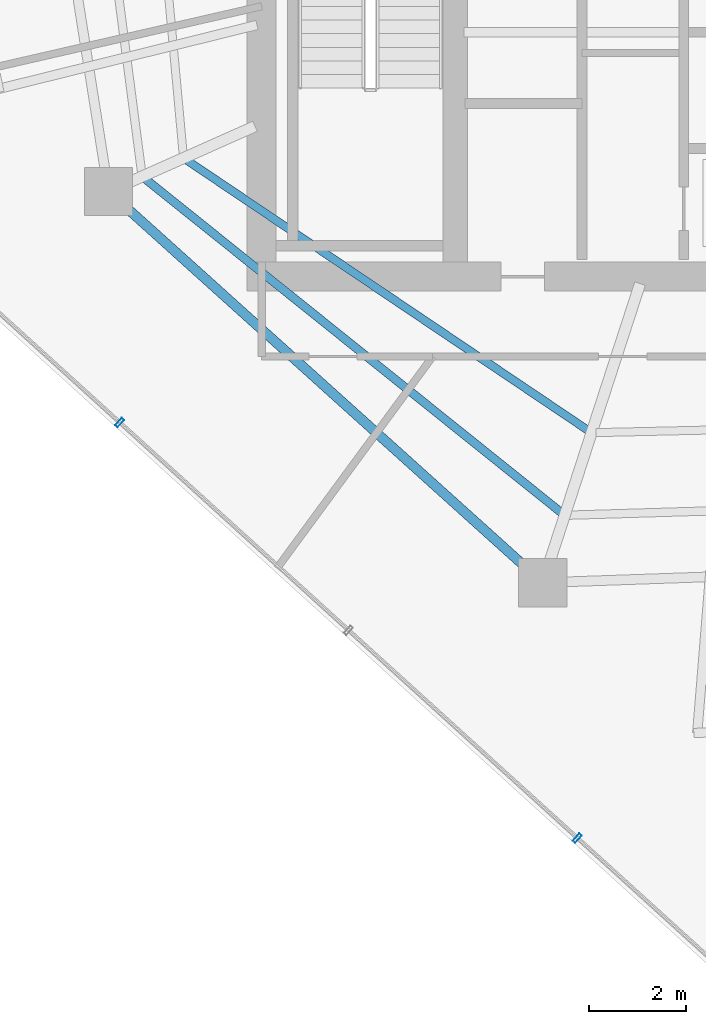
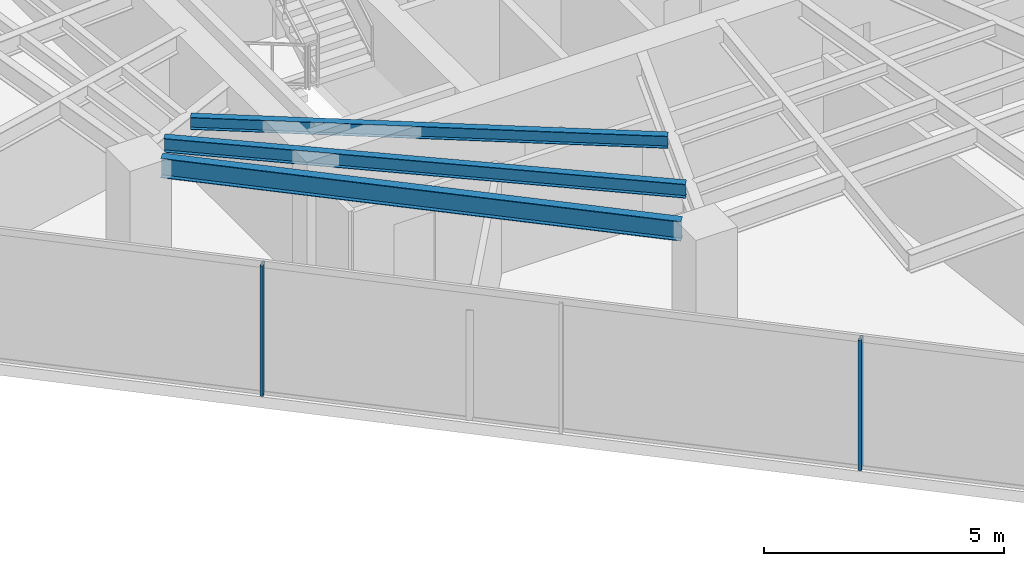
# One storey, part 4 of 21: 3 beams, 2 members, 1 element without a shape of its own.
"""IFC4 building model written with IfcOpenShell, lengths in metres."""

from ifc_helpers import new_model, si_unit, direction, frame, origin, origin_2d, place, context, subcontext, project, spatial, hollow_rectangle, i_section, extrude, material, layer, layer_set, material_profile, profile_set, type_object, element, aggregate, save


model = new_model("IFC4")

# Units and contexts
model_context = context("Model", 3, precision=1e-05, world=origin(), true_north=direction((0.0, 1.0)))
body_context = subcontext(model_context, "Body", "Model", "MODEL_VIEW")
ifc_project = project(units=[si_unit("LENGTHUNIT", "METRE"), si_unit("AREAUNIT", "SQUARE_METRE"), si_unit("VOLUMEUNIT", "CUBIC_METRE"), si_unit("PLANEANGLEUNIT", "RADIAN"), si_unit("MASSUNIT", "GRAM", prefix="KILO")], contexts=[model_context])

# Site, building, storey
site_placement = place(None, origin())
site = spatial("IfcSite", under=ifc_project, at=site_placement, CompositionType="ELEMENT")
building_placement = place(site_placement, origin())
building = spatial("IfcBuilding", under=site, at=building_placement, Name="Qarnah Convention Tower", CompositionType="ELEMENT")
storey_placement = place(building_placement, frame((0.0, 0.0, 132.89990234375)))
storey = spatial("IfcBuildingStorey", under=building, at=storey_placement, Name="L35", CompositionType="ELEMENT", Elevation=132.89990234375)

# Beams
ifc_material_1 = material(Name="Structural steel S355JR", Category="steel")
ifc_material_profile_1 = material_profile(ifc_material_1, i_section(OverallWidth=0.166015625, OverallDepth=0.31201171875, WebThickness=0.007080078125, FlangeThickness=0.010986328125, at=origin_2d()), Name="W310X45")
ifc_profile_set_1 = profile_set([ifc_material_profile_1], Name="Structural steel S355JR")
beam_type_1 = type_object("IfcBeamType", Name="BM-JST-W310", PredefinedType="JOIST", material=ifc_profile_set_1)
beam_1_placement = place(storey_placement, frame((25.260009765625, 21.0009765625, 3.1640625), z_axis=(0.82954788589, -0.558435587168, 0.0), x_axis=(0.558435587168, 0.82954788589, 0.0)))
element("IfcBeam", 1, at=beam_1_placement, inside=storey, type_object=beam_type_1, Name="L35 joist BM-L35-IJST-06", PredefinedType="JOIST", context=body_context, shape_type="SweptSolid", body=[
    extrude(i_section(OverallWidth=0.166015625, OverallDepth=0.31201171875, WebThickness=0.007080078125, FlangeThickness=0.010986328125, at=origin_2d()), origin(), (0.0, 0.0, 1.0), 9.98486328125),
])
ifc_material_profile_2 = material_profile(ifc_material_1, i_section(OverallWidth=0.172119140625, OverallDepth=0.35595703125, WebThickness=0.007080078125, FlangeThickness=0.011962890625, at=origin_2d()), Name="W360X51")
ifc_profile_set_2 = profile_set([ifc_material_profile_2], Name="Structural steel S355JR")
beam_type_2 = type_object("IfcBeamType", Name="BM-JST-W360", PredefinedType="JOIST", material=ifc_profile_set_2)
beam_2_placement = place(storey_placement, frame((24.40087890625, 20.614013671875, 3.14208984375), z_axis=(0.780148110393, -0.625594857596, 0.0), x_axis=(0.625594857596, 0.780148110393, 0.0)))
element("IfcBeam", 2, at=beam_2_placement, inside=storey, type_object=beam_type_2, Name="L35 joist BM-L35-SJST-06", PredefinedType="JOIST", context=body_context, shape_type="SweptSolid", body=[
    extrude(i_section(OverallWidth=0.172119140625, OverallDepth=0.35595703125, WebThickness=0.007080078125, FlangeThickness=0.011962890625, at=origin_2d()), origin(), (0.0, 0.0, 1.0), 11.013427734375),
])
ifc_material_profile_3 = material_profile(ifc_material_1, i_section(OverallWidth=0.199951171875, OverallDepth=0.5, WebThickness=0.010009765625, FlangeThickness=0.01611328125, at=origin_2d()), Name="IPE500")
ifc_profile_set_3 = profile_set([ifc_material_profile_3], Name="Structural steel S355JR")
beam_type_3 = type_object("IfcBeamType", Name="BM-SPN-IPE500", PredefinedType="SPANDREL", material=ifc_profile_set_3)
beam_3_placement = place(storey_placement, frame((23.998046875, 20.031982421875, 3.070068359375), z_axis=(0.743165079224, -0.66910811161, 0.0), x_axis=(0.66910811161, 0.743165079224, 0.0)))
element("IfcBeam", 3, at=beam_3_placement, inside=storey, type_object=beam_type_3, Name="L35 spandrel BM-L35-SPN-06", PredefinedType="SPANDREL", context=body_context, shape_type="SweptSolid", body=[
    extrude(i_section(OverallWidth=0.199951171875, OverallDepth=0.5, WebThickness=0.010009765625, FlangeThickness=0.01611328125, at=origin_2d()), origin(), (0.0, 0.0, 1.0), 11.099853515625),
])

# Curtain wall, members
ifc_material_2 = material(Name="Tempered Low-E dark glass", Category="glass")
ifc_layer = layer(ifc_material_2, 0.172119140625)
ifc_layer_set = layer_set([ifc_layer], Name="Tempered Low-E dark glass")
curtain_wall_type = type_object("IfcCurtainWallType", Name="CWS-03", PredefinedType="NOTDEFINED", material=ifc_layer_set)
curtain_wall_placement = place(storey_placement, origin())
curtain_wall = element("IfcCurtainWall", 4, at=curtain_wall_placement, inside=storey, type_object=curtain_wall_type, Name="L35 unitised curtain wall CW-L35-F1", PredefinedType="NOTDEFINED")
ifc_material_3 = material(Name="Black anodised aluminium", Category="aluminium")
ifc_material_profile_4 = material_profile(ifc_material_3, hollow_rectangle(XDim=0.070068359375, YDim=0.199951171875, WallThickness=0.0048828125, at=origin_2d()), Name="MUL-70X200")
ifc_profile_set_4 = profile_set([ifc_material_profile_4], Name="Black anodised aluminium")
member_type = type_object("IfcMemberType", Name="MUL-T3", PredefinedType="MULLION", material=ifc_profile_set_4)
member_1_placement = place(storey_placement, frame((33.321044921875, 6.996826171875, 0.0), z_axis=(0.0, 0.0, 1.0), x_axis=(-0.740352220508, 0.672219152947, 0.0)))
member_1 = element("IfcMember", 5, at=member_1_placement, type_object=member_type, Name="CW-L35-F1 mullion 2", PredefinedType="MULLION", context=body_context, shape_type="SweptSolid", body=[
    extrude(hollow_rectangle(XDim=0.070068359375, YDim=0.199951171875, WallThickness=0.0048828125, at=origin_2d()), origin(), (0.0, 0.0, 1.0), 3.320068359375),
])
member_2_placement = place(storey_placement, frame((23.863037109375, 15.58447265625, 0.0), z_axis=(0.0, 0.0, 1.0), x_axis=(-0.740352220508, 0.672219152947, 0.0)))
member_2 = element("IfcMember", 6, at=member_2_placement, type_object=member_type, Name="CW-L35-F1 mullion 4", PredefinedType="MULLION", context=body_context, shape_type="SweptSolid", body=[
    extrude(hollow_rectangle(XDim=0.070068359375, YDim=0.199951171875, WallThickness=0.0048828125, at=origin_2d()), origin(), (0.0, 0.0, 1.0), 3.320068359375),
])
aggregate(curtain_wall, [member_1, member_2])

save(model, "model.ifc")
